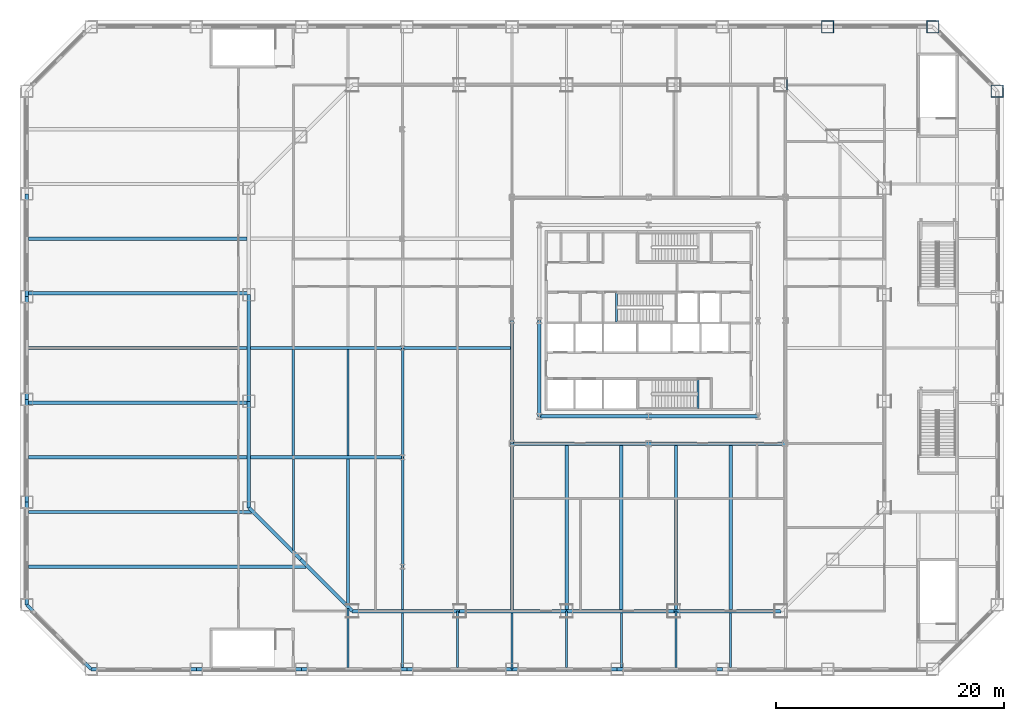
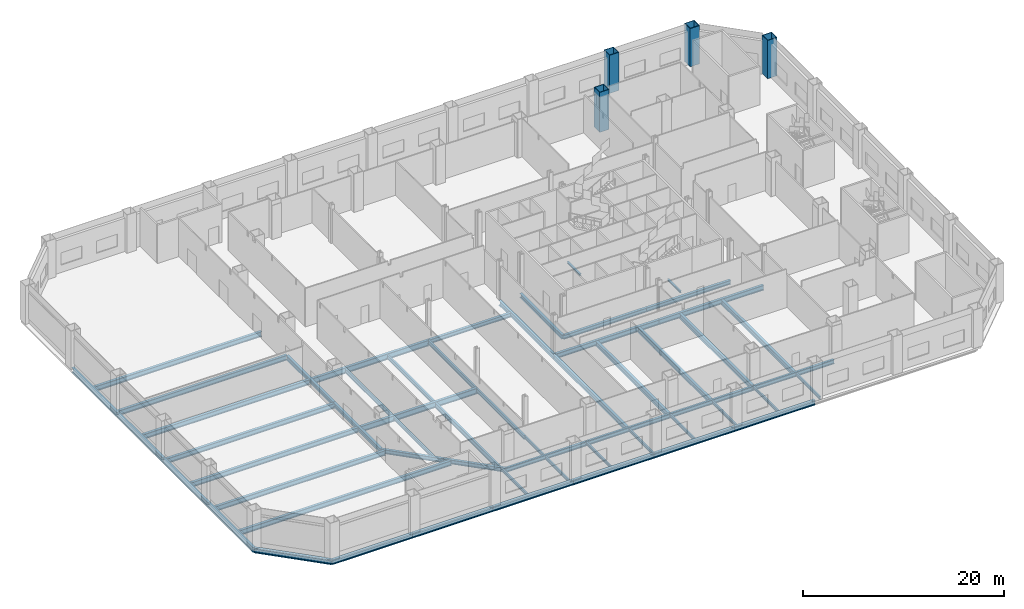
# One storey, part 5 of 22: 57 beams, 4 columns.
"""IFC4 building model written with IfcOpenShell, lengths in metres."""

from ifc_helpers import new_model, si_unit, direction, frame, origin, origin_2d, place, context, subcontext, project, spatial, hollow_rectangle, i_section, extrude, material, material_profile, profile_set, type_object, element, save


model = new_model("IFC4")

# Units and contexts
model_context = context("Model", 3, precision=1e-05, world=origin(), true_north=direction((0.0, 1.0)))
body_context = subcontext(model_context, "Body", "Model", "MODEL_VIEW")
ifc_project = project(units=[si_unit("LENGTHUNIT", "METRE"), si_unit("AREAUNIT", "SQUARE_METRE"), si_unit("VOLUMEUNIT", "CUBIC_METRE"), si_unit("PLANEANGLEUNIT", "RADIAN"), si_unit("MASSUNIT", "GRAM", prefix="KILO")], contexts=[model_context])

# Site, building, storey
site_placement = place(None, origin())
site = spatial("IfcSite", under=ifc_project, at=site_placement, CompositionType="ELEMENT")
building_placement = place(site_placement, origin())
building = spatial("IfcBuilding", under=site, at=building_placement, Name="Cairn Pilgrim Tower", CompositionType="ELEMENT")
storey_placement = place(building_placement, frame((0.0, 0.0, 35.39990234375)))
storey = spatial("IfcBuildingStorey", under=building, at=storey_placement, Name="L06", CompositionType="ELEMENT", Elevation=35.39990234375)

# Columns
ifc_material_1 = material(Name="Structural steel S460M", Category="steel")
ifc_material_profile_1 = material_profile(ifc_material_1, hollow_rectangle(XDim=1.10009765625, YDim=1.10009765625, WallThickness=0.06005859375, at=origin_2d()), Name="BOX 1100x1100x60")
ifc_profile_set_1 = profile_set([ifc_material_profile_1], Name="Structural steel S460M")
column_type_1 = type_object("IfcColumnType", Name="BOX 1100x1100x60", PredefinedType="COLUMN", material=ifc_profile_set_1)
column_placement = place(storey_placement, frame((18.8271484375, 23.10009765625, -0.199951171875), z_axis=(0.0, 0.0, 1.0), x_axis=(1.0, 0.0, 0.0)))
element("IfcColumn", 1, at=column_placement, inside=storey, type_object=column_type_1, Name="PC1-N1", PredefinedType="COLUMN", context=body_context, shape_type="SweptSolid", body=[
    extrude(hollow_rectangle(XDim=1.10009765625, YDim=1.10009765625, WallThickness=0.06005859375, at=origin_2d()), origin(), (0.0, 0.0, 1.0), 4.85009765625),
])
ifc_material_profile_2 = material_profile(ifc_material_1, hollow_rectangle(XDim=1.10009765625, YDim=1.10009765625, WallThickness=0.06005859375, at=origin_2d()), Name="BOX 1100x1100x60")
ifc_profile_set_2 = profile_set([ifc_material_profile_2], Name="Structural steel S460M")
column_type_2 = type_object("IfcColumnType", Name="PILOTIS CFT 1100", PredefinedType="COLUMN", material=ifc_profile_set_2)
for number, where, z_axis, x_axis, name in (
    (2, (37.800048828125, 22.551513671875, 0.0), (0.0, 0.0, 1.0), (1.0, 0.0, 0.0), "PILOTIS PL-NE1"),
    (3, (32.151611328125, 28.199951171875, 0.0), (0.0, 0.0, 1.0), (1.0, 0.0, 0.0), "PILOTIS PL-N1"),
    (4, (22.91357421875, 28.199951171875, 0.0), (0.0, 0.0, 1.0), (1.0, 0.0, 0.0), "PILOTIS PL-N2"),
):
    element("IfcColumn", number, at=place(storey_placement, frame(where, z_axis=z_axis, x_axis=x_axis)), inside=storey, type_object=column_type_2, Name=name, PredefinedType="COLUMN", context=body_context, shape_type="SweptSolid", body=[
        extrude(hollow_rectangle(XDim=1.10009765625, YDim=1.10009765625, WallThickness=0.06005859375, at=origin_2d()), origin(), (0.0, 0.0, 1.0), 4.650146484375),
    ])

# Beams
ifc_material_2 = material(Name="Structural steel S355J2", Category="steel")
ifc_material_profile_3 = material_profile(ifc_material_2, i_section(OverallWidth=0.300048828125, OverallDepth=0.60009765625, WebThickness=0.015380859375, FlangeThickness=0.030029296875, FilletRadius=0.027099609375, at=origin_2d()), Name="HEB 600")
ifc_profile_set_3 = profile_set([ifc_material_profile_3], Name="Structural steel S355J2")
beam_type_1 = type_object("IfcBeamType", Name="PODIUM BEAM HE 600 B", PredefinedType="BEAM", material=ifc_profile_set_3)
for number, where, z_axis, x_axis, name in (
    (5, (-4.800048828125, -22.947998046875, -0.5), (0.0, 1.0, 0.0), (-1.0, 0.0, 0.0), "PODIUM BEAM PB-HE600B"),
    (6, (0.0, -23.10009765625, -0.5), (0.0, 1.0, 0.0), (-1.0, 0.0, 0.0), "PODIUM BEAM PB-HE600B"),
):
    element("IfcBeam", number, at=place(storey_placement, frame(where, z_axis=z_axis, x_axis=x_axis)), inside=storey, type_object=beam_type_1, Name=name, PredefinedType="BEAM", context=body_context, shape_type="SweptSolid", body=[
        extrude(i_section(OverallWidth=0.300048828125, OverallDepth=0.60009765625, WebThickness=0.015380859375, FlangeThickness=0.030029296875, FilletRadius=0.027099609375, at=origin_2d()), origin(), (0.0, 0.0, 1.0), 14.548095703125),
    ])
beam_1_placement = place(storey_placement, frame((4.800048828125, -22.947998046875, -0.5), z_axis=(0.0, 1.0, 0.0), x_axis=(-1.0, 0.0, 0.0)))
element("IfcBeam", 7, at=beam_1_placement, inside=storey, type_object=beam_type_1, Name="PODIUM BEAM PB-HE600B", PredefinedType="BEAM", context=body_context, shape_type="SweptSolid", body=[
    extrude(i_section(OverallWidth=0.300048828125, OverallDepth=0.60009765625, WebThickness=0.015380859375, FlangeThickness=0.030029296875, FilletRadius=0.027099609375, at=origin_2d()), origin(), (0.0, 0.0, 1.0), 14.39599609375),
])
beam_2_placement = place(storey_placement, frame((9.60009765625, -23.10009765625, -0.5), z_axis=(0.0, 1.0, 0.0), x_axis=(-1.0, 0.0, 0.0)))
element("IfcBeam", 8, at=beam_2_placement, inside=storey, type_object=beam_type_1, Name="PODIUM BEAM PB-HE600B", PredefinedType="BEAM", context=body_context, shape_type="SweptSolid", body=[
    extrude(i_section(OverallWidth=0.300048828125, OverallDepth=0.60009765625, WebThickness=0.015380859375, FlangeThickness=0.030029296875, FilletRadius=0.027099609375, at=origin_2d()), origin(), (0.0, 0.0, 1.0), 14.548095703125),
])
beam_3_placement = place(storey_placement, frame((14.39990234375, -22.947998046875, -0.5), z_axis=(0.0, 1.0, 0.0), x_axis=(-1.0, 0.0, 0.0)))
element("IfcBeam", 9, at=beam_3_placement, inside=storey, type_object=beam_type_1, Name="PODIUM BEAM PB-HE600B", PredefinedType="BEAM", context=body_context, shape_type="SweptSolid", body=[
    extrude(i_section(OverallWidth=0.300048828125, OverallDepth=0.60009765625, WebThickness=0.015380859375, FlangeThickness=0.030029296875, FilletRadius=0.027099609375, at=origin_2d()), origin(), (0.0, 0.0, 1.0), 14.39599609375),
])
beam_4_placement = place(storey_placement, frame((-47.248046875, -19.199951171875, -0.5), z_axis=(1.0, 0.0, 0.0), x_axis=(0.0, 1.0, 0.0)))
element("IfcBeam", 10, at=beam_4_placement, inside=storey, type_object=beam_type_1, Name="PODIUM BEAM PB-HE600B", PredefinedType="BEAM", context=body_context, shape_type="SweptSolid", body=[
    extrude(i_section(OverallWidth=0.300048828125, OverallDepth=0.60009765625, WebThickness=0.015380859375, FlangeThickness=0.030029296875, FilletRadius=0.027099609375, at=origin_2d()), origin(), (0.0, 0.0, 1.0), 24.368896484375),
])
beam_5_placement = place(storey_placement, frame((-47.248046875, -14.39990234375, -0.5), z_axis=(1.0, 0.0, 0.0), x_axis=(0.0, 1.0, 0.0)))
element("IfcBeam", 11, at=beam_5_placement, inside=storey, type_object=beam_type_1, Name="PODIUM BEAM PB-HE600B", PredefinedType="BEAM", context=body_context, shape_type="SweptSolid", body=[
    extrude(i_section(OverallWidth=0.300048828125, OverallDepth=0.60009765625, WebThickness=0.015380859375, FlangeThickness=0.030029296875, FilletRadius=0.027099609375, at=origin_2d()), origin(), (0.0, 0.0, 1.0), 19.56884765625),
])
beam_6_placement = place(storey_placement, frame((-47.248046875, -9.60009765625, -0.5), z_axis=(1.0, 0.0, 0.0), x_axis=(0.0, 1.0, 0.0)))
element("IfcBeam", 12, at=beam_6_placement, inside=storey, type_object=beam_type_1, Name="PODIUM BEAM PB-HE600B", PredefinedType="BEAM", context=body_context, shape_type="SweptSolid", body=[
    extrude(i_section(OverallWidth=0.300048828125, OverallDepth=0.60009765625, WebThickness=0.015380859375, FlangeThickness=0.030029296875, FilletRadius=0.027099609375, at=origin_2d()), origin(), (0.0, 0.0, 1.0), 19.196044921875),
])
beam_7_placement = place(storey_placement, frame((-47.39990234375, -4.800048828125, -0.5), z_axis=(1.0, 0.0, 0.0), x_axis=(0.0, 1.0, 0.0)))
element("IfcBeam", 13, at=beam_7_placement, inside=storey, type_object=beam_type_1, Name="PODIUM BEAM PB-HE600B", PredefinedType="BEAM", context=body_context, shape_type="SweptSolid", body=[
    extrude(i_section(OverallWidth=0.300048828125, OverallDepth=0.60009765625, WebThickness=0.015380859375, FlangeThickness=0.030029296875, FilletRadius=0.027099609375, at=origin_2d()), origin(), (0.0, 0.0, 1.0), 19.5),
])
beam_8_placement = place(storey_placement, frame((-47.248046875, 0.0, -0.5), z_axis=(1.0, 0.0, 0.0), x_axis=(0.0, 1.0, 0.0)))
element("IfcBeam", 14, at=beam_8_placement, inside=storey, type_object=beam_type_1, Name="PODIUM BEAM PB-HE600B", PredefinedType="BEAM", context=body_context, shape_type="SweptSolid", body=[
    extrude(i_section(OverallWidth=0.300048828125, OverallDepth=0.60009765625, WebThickness=0.015380859375, FlangeThickness=0.030029296875, FilletRadius=0.027099609375, at=origin_2d()), origin(), (0.0, 0.0, 1.0), 19.196044921875),
])
beam_9_placement = place(storey_placement, frame((-47.39990234375, 4.800048828125, -0.5), z_axis=(1.0, 0.0, 0.0), x_axis=(0.0, 1.0, 0.0)))
element("IfcBeam", 15, at=beam_9_placement, inside=storey, type_object=beam_type_1, Name="PODIUM BEAM PB-HE600B", PredefinedType="BEAM", context=body_context, shape_type="SweptSolid", body=[
    extrude(i_section(OverallWidth=0.300048828125, OverallDepth=0.60009765625, WebThickness=0.015380859375, FlangeThickness=0.030029296875, FilletRadius=0.027099609375, at=origin_2d()), origin(), (0.0, 0.0, 1.0), 19.5),
])
beam_10_placement = place(storey_placement, frame((-47.248046875, 9.60009765625, -0.5), z_axis=(1.0, 0.0, 0.0), x_axis=(0.0, 1.0, 0.0)))
element("IfcBeam", 16, at=beam_10_placement, inside=storey, type_object=beam_type_1, Name="PODIUM BEAM PB-HE600B", PredefinedType="BEAM", context=body_context, shape_type="SweptSolid", body=[
    extrude(i_section(OverallWidth=0.300048828125, OverallDepth=0.60009765625, WebThickness=0.015380859375, FlangeThickness=0.030029296875, FilletRadius=0.027099609375, at=origin_2d()), origin(), (0.0, 0.0, 1.0), 19.196044921875),
])
ifc_material_profile_4 = material_profile(ifc_material_2, i_section(OverallWidth=0.169921875, OverallDepth=0.360107421875, WebThickness=0.008056640625, FlangeThickness=0.0126953125, FilletRadius=0.01806640625, at=origin_2d()), Name="IPE 360")
ifc_profile_set_4 = profile_set([ifc_material_profile_4], Name="Structural steel S355J2")
beam_type_2 = type_object("IfcBeamType", Name="PODIUM BEAM IPE 360", PredefinedType="BEAM", material=ifc_profile_set_4)
beam_11_placement = place(storey_placement, frame((-14.39990234375, -22.947998046875, -0.3798828125), z_axis=(0.0, 1.0, 0.0), x_axis=(-1.0, 0.0, 0.0)))
element("IfcBeam", 17, at=beam_11_placement, inside=storey, type_object=beam_type_2, Name="PODIUM BEAM PB-IPE360", PredefinedType="BEAM", context=body_context, shape_type="SweptSolid", body=[
    extrude(i_section(OverallWidth=0.169921875, OverallDepth=0.360107421875, WebThickness=0.008056640625, FlangeThickness=0.0126953125, FilletRadius=0.01806640625, at=origin_2d()), origin(), (0.0, 0.0, 1.0), 3.748046875),
])
beam_12_placement = place(storey_placement, frame((-19.199951171875, -28.048095703125, -0.3798828125), z_axis=(0.0, 1.0, 0.0), x_axis=(-1.0, 0.0, 0.0)))
element("IfcBeam", 18, at=beam_12_placement, inside=storey, type_object=beam_type_2, Name="PODIUM BEAM PB-IPE360", PredefinedType="BEAM", context=body_context, shape_type="SweptSolid", body=[
    extrude(i_section(OverallWidth=0.169921875, OverallDepth=0.360107421875, WebThickness=0.008056640625, FlangeThickness=0.0126953125, FilletRadius=0.01806640625, at=origin_2d()), origin(), (0.0, 0.0, 1.0), 5.1689453125),
])
beam_13_placement = place(storey_placement, frame((-14.39990234375, -28.048095703125, -0.3798828125), z_axis=(0.0, 1.0, 0.0), x_axis=(-1.0, 0.0, 0.0)))
element("IfcBeam", 19, at=beam_13_placement, inside=storey, type_object=beam_type_2, Name="PODIUM BEAM PB-IPE360", PredefinedType="BEAM", context=body_context, shape_type="SweptSolid", body=[
    extrude(i_section(OverallWidth=0.169921875, OverallDepth=0.360107421875, WebThickness=0.008056640625, FlangeThickness=0.0126953125, FilletRadius=0.01806640625, at=origin_2d()), origin(), (0.0, 0.0, 1.0), 4.796142578125),
])
for number, where, z_axis, x_axis, name in (
    (20, (-9.60009765625, -28.048095703125, -0.3798828125), (0.0, 1.0, 0.0), (-1.0, 0.0, 0.0), "PODIUM BEAM PB-IPE360"),
    (21, (-4.800048828125, -28.199951171875, -0.3798828125), (0.0, 1.0, 0.0), (-1.0, 0.0, 0.0), "PODIUM BEAM PB-IPE360"),
    (22, (0.0, -28.048095703125, -0.3798828125), (0.0, 1.0, 0.0), (-1.0, 0.0, 0.0), "PODIUM BEAM PB-IPE360"),
):
    element("IfcBeam", number, at=place(storey_placement, frame(where, z_axis=z_axis, x_axis=x_axis)), inside=storey, type_object=beam_type_2, Name=name, PredefinedType="BEAM", context=body_context, shape_type="SweptSolid", body=[
        extrude(i_section(OverallWidth=0.169921875, OverallDepth=0.360107421875, WebThickness=0.008056640625, FlangeThickness=0.0126953125, FilletRadius=0.01806640625, at=origin_2d()), origin(), (0.0, 0.0, 1.0), 4.947998046875),
    ])
beam_14_placement = place(storey_placement, frame((4.800048828125, -28.048095703125, -0.3798828125), z_axis=(0.0, 1.0, 0.0), x_axis=(-1.0, 0.0, 0.0)))
element("IfcBeam", 23, at=beam_14_placement, inside=storey, type_object=beam_type_2, Name="PODIUM BEAM PB-IPE360", PredefinedType="BEAM", context=body_context, shape_type="SweptSolid", body=[
    extrude(i_section(OverallWidth=0.169921875, OverallDepth=0.360107421875, WebThickness=0.008056640625, FlangeThickness=0.0126953125, FilletRadius=0.01806640625, at=origin_2d()), origin(), (0.0, 0.0, 1.0), 4.796142578125),
])
beam_15_placement = place(storey_placement, frame((9.60009765625, -28.048095703125, -0.3798828125), z_axis=(0.0, 1.0, 0.0), x_axis=(-1.0, 0.0, 0.0)))
element("IfcBeam", 24, at=beam_15_placement, inside=storey, type_object=beam_type_2, Name="PODIUM BEAM PB-IPE360", PredefinedType="BEAM", context=body_context, shape_type="SweptSolid", body=[
    extrude(i_section(OverallWidth=0.169921875, OverallDepth=0.360107421875, WebThickness=0.008056640625, FlangeThickness=0.0126953125, FilletRadius=0.01806640625, at=origin_2d()), origin(), (0.0, 0.0, 1.0), 4.947998046875),
])
beam_16_placement = place(storey_placement, frame((14.39990234375, -28.048095703125, -0.3798828125), z_axis=(0.0, 1.0, 0.0), x_axis=(-1.0, 0.0, 0.0)))
element("IfcBeam", 25, at=beam_16_placement, inside=storey, type_object=beam_type_2, Name="PODIUM BEAM PB-IPE360", PredefinedType="BEAM", context=body_context, shape_type="SweptSolid", body=[
    extrude(i_section(OverallWidth=0.169921875, OverallDepth=0.360107421875, WebThickness=0.008056640625, FlangeThickness=0.0126953125, FilletRadius=0.01806640625, at=origin_2d()), origin(), (0.0, 0.0, 1.0), 4.796142578125),
])
ifc_material_profile_5 = material_profile(ifc_material_2, i_section(OverallWidth=0.179931640625, OverallDepth=0.39990234375, WebThickness=0.008544921875, FlangeThickness=0.013427734375, FilletRadius=0.02099609375, at=origin_2d()), Name="IPE 400")
ifc_profile_set_5 = profile_set([ifc_material_profile_5], Name="Structural steel S355J2")
beam_type_3 = type_object("IfcBeamType", Name="PODIUM BEAM IPE 400", PredefinedType="BEAM", material=ifc_profile_set_5)
beam_17_placement = place(storey_placement, frame((-24.0, -17.775146484375, -0.39990234375), z_axis=(0.0, 1.0, 0.0), x_axis=(-1.0, 0.0, 0.0)))
element("IfcBeam", 26, at=beam_17_placement, inside=storey, type_object=beam_type_3, Name="PODIUM BEAM PB-IPE400", PredefinedType="BEAM", context=body_context, shape_type="SweptSolid", body=[
    extrude(i_section(OverallWidth=0.179931640625, OverallDepth=0.39990234375, WebThickness=0.008544921875, FlangeThickness=0.013427734375, FilletRadius=0.02099609375, at=origin_2d()), origin(), (0.0, 0.0, 1.0), 8.023193359375),
])
ifc_material_profile_6 = material_profile(ifc_material_2, i_section(OverallWidth=0.199951171875, OverallDepth=0.5, WebThickness=0.01025390625, FlangeThickness=0.01611328125, FilletRadius=0.02099609375, at=origin_2d()), Name="IPE 500")
ifc_profile_set_6 = profile_set([ifc_material_profile_6], Name="Structural steel S355J2")
beam_type_4 = type_object("IfcBeamType", Name="PODIUM BEAM IPE 500", PredefinedType="BEAM", material=ifc_profile_set_6)
for number, where, z_axis, x_axis, name in (
    (27, (-24.0, -9.447998046875, -0.449951171875), (0.0, 1.0, 0.0), (-1.0, 0.0, 0.0), "PODIUM BEAM PB-IPE500"),
    (28, (-19.199951171875, -9.447998046875, -0.449951171875), (0.0, 1.0, 0.0), (-1.0, 0.0, 0.0), "PODIUM BEAM PB-IPE500"),
):
    element("IfcBeam", number, at=place(storey_placement, frame(where, z_axis=z_axis, x_axis=x_axis)), inside=storey, type_object=beam_type_4, Name=name, PredefinedType="BEAM", context=body_context, shape_type="SweptSolid", body=[
        extrude(i_section(OverallWidth=0.199951171875, OverallDepth=0.5, WebThickness=0.01025390625, FlangeThickness=0.01611328125, FilletRadius=0.02099609375, at=origin_2d()), origin(), (0.0, 0.0, 1.0), 9.2958984375),
    ])
beam_18_placement = place(storey_placement, frame((-14.39990234375, -19.199951171875, -0.449951171875), z_axis=(0.0, 1.0, 0.0), x_axis=(-1.0, 0.0, 0.0)))
element("IfcBeam", 29, at=beam_18_placement, inside=storey, type_object=beam_type_4, Name="PODIUM BEAM PB-IPE500", PredefinedType="BEAM", context=body_context, shape_type="SweptSolid", body=[
    extrude(i_section(OverallWidth=0.199951171875, OverallDepth=0.5, WebThickness=0.01025390625, FlangeThickness=0.01611328125, FilletRadius=0.02099609375, at=origin_2d()), origin(), (0.0, 0.0, 1.0), 9.599853515625),
])
beam_19_placement = place(storey_placement, frame((-14.39990234375, -9.60009765625, -0.449951171875), z_axis=(0.0, 1.0, 0.0), x_axis=(-1.0, 0.0, 0.0)))
element("IfcBeam", 30, at=beam_19_placement, inside=storey, type_object=beam_type_4, Name="PODIUM BEAM PB-IPE500", PredefinedType="BEAM", context=body_context, shape_type="SweptSolid", body=[
    extrude(i_section(OverallWidth=0.199951171875, OverallDepth=0.5, WebThickness=0.01025390625, FlangeThickness=0.01611328125, FilletRadius=0.02099609375, at=origin_2d()), origin(), (0.0, 0.0, 1.0), 9.60009765625),
])
ifc_material_profile_7 = material_profile(ifc_material_2, i_section(OverallWidth=0.219970703125, OverallDepth=0.60009765625, WebThickness=0.011962890625, FlangeThickness=0.01904296875, FilletRadius=0.02392578125, at=origin_2d()), Name="IPE 600")
ifc_profile_set_7 = profile_set([ifc_material_profile_7], Name="Structural steel S355J2")
beam_type_5 = type_object("IfcBeamType", Name="PODIUM BEAM IPE 600", PredefinedType="BEAM", material=ifc_profile_set_7)
beam_20_placement = place(storey_placement, frame((-19.199951171875, -22.5751953125, -0.5), z_axis=(0.0, 1.0, 0.0), x_axis=(-1.0, 0.0, 0.0)))
element("IfcBeam", 31, at=beam_20_placement, inside=storey, type_object=beam_type_5, Name="PODIUM BEAM PB-IPE600", PredefinedType="BEAM", context=body_context, shape_type="SweptSolid", body=[
    extrude(i_section(OverallWidth=0.219970703125, OverallDepth=0.60009765625, WebThickness=0.011962890625, FlangeThickness=0.01904296875, FilletRadius=0.02392578125, at=origin_2d()), origin(), (0.0, 0.0, 1.0), 12.8232421875),
])
ifc_material_profile_8 = material_profile(ifc_material_2, i_section(OverallWidth=0.300048828125, OverallDepth=0.60009765625, WebThickness=0.015380859375, FlangeThickness=0.030029296875, FilletRadius=0.027099609375, at=origin_2d()), Name="HEB 600")
ifc_profile_set_8 = profile_set([ifc_material_profile_8], Name="Structural steel S355J2")
beam_type_6 = type_object("IfcBeamType", Name="PODIUM EDGE GIRDER HE 600 B", PredefinedType="BEAM", material=ifc_profile_set_8)
beam_21_placement = place(storey_placement, frame((-41.75146484375, -28.199951171875, -0.5), z_axis=(1.0, 0.0, 0.0), x_axis=(0.0, 1.0, 0.0)))
element("IfcBeam", 32, at=beam_21_placement, inside=storey, type_object=beam_type_6, Name="PODIUM EDGE GIRDER PE-HE600B", PredefinedType="BEAM", context=body_context, shape_type="SweptSolid", body=[
    extrude(i_section(OverallWidth=0.300048828125, OverallDepth=0.60009765625, WebThickness=0.015380859375, FlangeThickness=0.030029296875, FilletRadius=0.027099609375, at=origin_2d()), origin(), (0.0, 0.0, 1.0), 9.23779296875),
])
beam_22_placement = place(storey_placement, frame((-32.513671875, -28.199951171875, -0.5), z_axis=(1.0, 0.0, 0.0), x_axis=(0.0, 1.0, 0.0)))
element("IfcBeam", 33, at=beam_22_placement, inside=storey, type_object=beam_type_6, Name="PODIUM EDGE GIRDER PE-HE600B", PredefinedType="BEAM", context=body_context, shape_type="SweptSolid", body=[
    extrude(i_section(OverallWidth=0.300048828125, OverallDepth=0.60009765625, WebThickness=0.015380859375, FlangeThickness=0.030029296875, FilletRadius=0.027099609375, at=origin_2d()), origin(), (0.0, 0.0, 1.0), 9.238037109375),
])
for number, where, z_axis, x_axis, name in (
    (34, (-23.275634765625, -28.199951171875, -0.5), (1.0, 0.0, 0.0), (0.0, 1.0, 0.0), "PODIUM EDGE GIRDER PE-HE600B"),
    (35, (-14.037841796875, -28.199951171875, -0.5), (1.0, 0.0, 0.0), (0.0, 1.0, 0.0), "PODIUM EDGE GIRDER PE-HE600B"),
):
    element("IfcBeam", number, at=place(storey_placement, frame(where, z_axis=z_axis, x_axis=x_axis)), inside=storey, type_object=beam_type_6, Name=name, PredefinedType="BEAM", context=body_context, shape_type="SweptSolid", body=[
        extrude(i_section(OverallWidth=0.300048828125, OverallDepth=0.60009765625, WebThickness=0.015380859375, FlangeThickness=0.030029296875, FilletRadius=0.027099609375, at=origin_2d()), origin(), (0.0, 0.0, 1.0), 9.23779296875),
    ])
beam_23_placement = place(storey_placement, frame((-4.800048828125, -28.199951171875, -0.5), z_axis=(1.0, 0.0, 0.0), x_axis=(0.0, 1.0, 0.0)))
element("IfcBeam", 36, at=beam_23_placement, inside=storey, type_object=beam_type_6, Name="PODIUM EDGE GIRDER PE-HE600B", PredefinedType="BEAM", context=body_context, shape_type="SweptSolid", body=[
    extrude(i_section(OverallWidth=0.300048828125, OverallDepth=0.60009765625, WebThickness=0.015380859375, FlangeThickness=0.030029296875, FilletRadius=0.027099609375, at=origin_2d()), origin(), (0.0, 0.0, 1.0), 9.238037109375),
])
beam_24_placement = place(storey_placement, frame((4.43798828125, -28.199951171875, -0.5), z_axis=(1.0, 0.0, 0.0), x_axis=(0.0, 1.0, 0.0)))
element("IfcBeam", 37, at=beam_24_placement, inside=storey, type_object=beam_type_6, Name="PODIUM EDGE GIRDER PE-HE600B", PredefinedType="BEAM", context=body_context, shape_type="SweptSolid", body=[
    extrude(i_section(OverallWidth=0.300048828125, OverallDepth=0.60009765625, WebThickness=0.015380859375, FlangeThickness=0.030029296875, FilletRadius=0.027099609375, at=origin_2d()), origin(), (0.0, 0.0, 1.0), 9.23779296875),
])
beam_25_placement = place(storey_placement, frame((-47.39990234375, 13.531005859375, -0.5), z_axis=(0.0, -1.0, 0.0), x_axis=(1.0, 0.0, 0.0)))
element("IfcBeam", 38, at=beam_25_placement, inside=storey, type_object=beam_type_6, Name="PODIUM EDGE GIRDER PE-HE600B", PredefinedType="BEAM", context=body_context, shape_type="SweptSolid", body=[
    extrude(i_section(OverallWidth=0.300048828125, OverallDepth=0.60009765625, WebThickness=0.015380859375, FlangeThickness=0.030029296875, FilletRadius=0.027099609375, at=origin_2d()), origin(), (0.0, 0.0, 1.0), 9.020751953125),
])
beam_26_placement = place(storey_placement, frame((-47.39990234375, 4.51025390625, -0.5), z_axis=(0.0, -1.0, 0.0), x_axis=(1.0, 0.0, 0.0)))
element("IfcBeam", 39, at=beam_26_placement, inside=storey, type_object=beam_type_6, Name="PODIUM EDGE GIRDER PE-HE600B", PredefinedType="BEAM", context=body_context, shape_type="SweptSolid", body=[
    extrude(i_section(OverallWidth=0.300048828125, OverallDepth=0.60009765625, WebThickness=0.015380859375, FlangeThickness=0.030029296875, FilletRadius=0.027099609375, at=origin_2d()), origin(), (0.0, 0.0, 1.0), 9.0205078125),
])
beam_27_placement = place(storey_placement, frame((-47.39990234375, -4.51025390625, -0.5), z_axis=(0.0, -1.0, 0.0), x_axis=(1.0, 0.0, 0.0)))
element("IfcBeam", 40, at=beam_27_placement, inside=storey, type_object=beam_type_6, Name="PODIUM EDGE GIRDER PE-HE600B", PredefinedType="BEAM", context=body_context, shape_type="SweptSolid", body=[
    extrude(i_section(OverallWidth=0.300048828125, OverallDepth=0.60009765625, WebThickness=0.015380859375, FlangeThickness=0.030029296875, FilletRadius=0.027099609375, at=origin_2d()), origin(), (0.0, 0.0, 1.0), 9.020751953125),
])
beam_28_placement = place(storey_placement, frame((-47.39990234375, -13.531005859375, -0.5), z_axis=(0.0, -1.0, 0.0), x_axis=(1.0, 0.0, 0.0)))
element("IfcBeam", 41, at=beam_28_placement, inside=storey, type_object=beam_type_6, Name="PODIUM EDGE GIRDER PE-HE600B", PredefinedType="BEAM", context=body_context, shape_type="SweptSolid", body=[
    extrude(i_section(OverallWidth=0.300048828125, OverallDepth=0.60009765625, WebThickness=0.015380859375, FlangeThickness=0.030029296875, FilletRadius=0.027099609375, at=origin_2d()), origin(), (0.0, 0.0, 1.0), 9.0205078125),
])
beam_29_placement = place(storey_placement, frame((-47.39990234375, -22.551513671875, -0.5), z_axis=(0.707106781187, -0.707106781187, 0.0), x_axis=(0.707106781187, 0.707106781187, 0.0)))
element("IfcBeam", 42, at=beam_29_placement, inside=storey, type_object=beam_type_6, Name="PODIUM EDGE GIRDER PE-HE600B", PredefinedType="BEAM", context=body_context, shape_type="SweptSolid", body=[
    extrude(i_section(OverallWidth=0.300048828125, OverallDepth=0.60009765625, WebThickness=0.015380859375, FlangeThickness=0.030029296875, FilletRadius=0.027099609375, at=origin_2d()), origin(), (0.0, 0.0, 1.0), 7.988037109375),
])
ifc_material_profile_9 = material_profile(ifc_material_2, i_section(OverallWidth=0.300048828125, OverallDepth=0.5, WebThickness=0.014404296875, FlangeThickness=0.028076171875, FilletRadius=0.027099609375, at=origin_2d()), Name="HEB 500")
ifc_profile_set_9 = profile_set([ifc_material_profile_9], Name="Structural steel S355J2")
beam_type_7 = type_object("IfcBeamType", Name="PODIUM GIRDER HE 500 B", PredefinedType="BEAM", material=ifc_profile_set_9)
for number, where, z_axis, x_axis, name in (
    (43, (-18.8271484375, -23.10009765625, -0.449951171875), (1.0, 0.0, 0.0), (0.0, 1.0, 0.0), "PODIUM GIRDER PG-HE500B"),
    (44, (-9.41357421875, -23.10009765625, -0.449951171875), (1.0, 0.0, 0.0), (0.0, 1.0, 0.0), "PODIUM GIRDER PG-HE500B"),
    (45, (0.0, -23.10009765625, -0.449951171875), (1.0, 0.0, 0.0), (0.0, 1.0, 0.0), "PODIUM GIRDER PG-HE500B"),
    (46, (9.41357421875, -23.10009765625, -0.449951171875), (1.0, 0.0, 0.0), (0.0, 1.0, 0.0), "PODIUM GIRDER PG-HE500B"),
):
    element("IfcBeam", number, at=place(storey_placement, frame(where, z_axis=z_axis, x_axis=x_axis)), inside=storey, type_object=beam_type_7, Name=name, PredefinedType="BEAM", context=body_context, shape_type="SweptSolid", body=[
        extrude(i_section(OverallWidth=0.300048828125, OverallDepth=0.5, WebThickness=0.014404296875, FlangeThickness=0.028076171875, FilletRadius=0.027099609375, at=origin_2d()), origin(), (0.0, 0.0, 1.0), 9.41357421875),
    ])
beam_30_placement = place(storey_placement, frame((-27.89990234375, 4.67578125, -0.449951171875), z_axis=(0.0, -1.0, 0.0), x_axis=(1.0, 0.0, 0.0)))
element("IfcBeam", 47, at=beam_30_placement, inside=storey, type_object=beam_type_7, Name="PODIUM GIRDER PG-HE500B", PredefinedType="BEAM", context=body_context, shape_type="SweptSolid", body=[
    extrude(i_section(OverallWidth=0.300048828125, OverallDepth=0.5, WebThickness=0.014404296875, FlangeThickness=0.028076171875, FilletRadius=0.027099609375, at=origin_2d()), origin(), (0.0, 0.0, 1.0), 9.3515625),
])
beam_31_placement = place(storey_placement, frame((-27.89990234375, -4.67578125, -0.449951171875), z_axis=(0.0, -1.0, 0.0), x_axis=(1.0, 0.0, 0.0)))
element("IfcBeam", 48, at=beam_31_placement, inside=storey, type_object=beam_type_7, Name="PODIUM GIRDER PG-HE500B", PredefinedType="BEAM", context=body_context, shape_type="SweptSolid", body=[
    extrude(i_section(OverallWidth=0.300048828125, OverallDepth=0.5, WebThickness=0.014404296875, FlangeThickness=0.028076171875, FilletRadius=0.027099609375, at=origin_2d()), origin(), (0.0, 0.0, 1.0), 9.351318359375),
])
for number, where, z_axis, x_axis, name in (
    (49, (-27.89990234375, -14.027099609375, -0.449951171875), (0.707087753759, -0.707125808102, 0.0), (0.707125808102, 0.707087753759, 0.0), "PODIUM GIRDER PG-HE500B"),
    (50, (-23.363525390625, -18.563720703125, -0.449951171875), (0.707106781187, -0.707106781187, 0.0), (0.707106781187, 0.707106781187, 0.0), "PODIUM GIRDER PG-HE500B"),
):
    element("IfcBeam", number, at=place(storey_placement, frame(where, z_axis=z_axis, x_axis=x_axis)), inside=storey, type_object=beam_type_7, Name=name, PredefinedType="BEAM", context=body_context, shape_type="SweptSolid", body=[
        extrude(i_section(OverallWidth=0.300048828125, OverallDepth=0.5, WebThickness=0.014404296875, FlangeThickness=0.028076171875, FilletRadius=0.027099609375, at=origin_2d()), origin(), (0.0, 0.0, 1.0), 6.41552734375),
    ])
beam_32_placement = place(storey_placement, frame((-2.39990234375, 2.39990234375, -0.449951171875), z_axis=(0.0, -1.0, 0.0), x_axis=(1.0, 0.0, 0.0)))
element("IfcBeam", 51, at=beam_32_placement, inside=storey, type_object=beam_type_7, Name="PODIUM GIRDER PG-HE500B", PredefinedType="BEAM", context=body_context, shape_type="SweptSolid", body=[
    extrude(i_section(OverallWidth=0.300048828125, OverallDepth=0.5, WebThickness=0.014404296875, FlangeThickness=0.028076171875, FilletRadius=0.027099609375, at=origin_2d()), origin(), (0.0, 0.0, 1.0), 8.39990234375),
])
beam_33_placement = place(storey_placement, frame((-2.39990234375, -6.0, -0.449951171875), z_axis=(1.0, 0.0, 0.0), x_axis=(0.0, 1.0, 0.0)))
element("IfcBeam", 52, at=beam_33_placement, inside=storey, type_object=beam_type_7, Name="PODIUM GIRDER PG-HE500B", PredefinedType="BEAM", context=body_context, shape_type="SweptSolid", body=[
    extrude(i_section(OverallWidth=0.300048828125, OverallDepth=0.5, WebThickness=0.014404296875, FlangeThickness=0.028076171875, FilletRadius=0.027099609375, at=origin_2d()), origin(), (0.0, 0.0, 1.0), 9.599853515625),
])
beam_34_placement = place(storey_placement, frame((7.199951171875, -6.0, -0.449951171875), z_axis=(1.0, 0.0, 0.0), x_axis=(0.0, 1.0, 0.0)))
element("IfcBeam", 53, at=beam_34_placement, inside=storey, type_object=beam_type_7, Name="PODIUM GIRDER PG-HE500B", PredefinedType="BEAM", context=body_context, shape_type="SweptSolid", body=[
    extrude(i_section(OverallWidth=0.300048828125, OverallDepth=0.5, WebThickness=0.014404296875, FlangeThickness=0.028076171875, FilletRadius=0.027099609375, at=origin_2d()), origin(), (0.0, 0.0, 1.0), 9.60009765625),
])
beam_35_placement = place(storey_placement, frame((-14.39990234375, 0.0, -0.449951171875), z_axis=(1.0, 0.0, 0.0), x_axis=(0.0, 1.0, 0.0)))
element("IfcBeam", 54, at=beam_35_placement, inside=storey, type_object=beam_type_7, Name="PODIUM GIRDER PG-HE500B", PredefinedType="BEAM", context=body_context, shape_type="SweptSolid", body=[
    extrude(i_section(OverallWidth=0.300048828125, OverallDepth=0.5, WebThickness=0.014404296875, FlangeThickness=0.028076171875, FilletRadius=0.027099609375, at=origin_2d()), origin(), (0.0, 0.0, 1.0), 9.447998046875),
])
ifc_material_profile_10 = material_profile(ifc_material_2, i_section(OverallWidth=0.300048828125, OverallDepth=0.60009765625, WebThickness=0.015380859375, FlangeThickness=0.030029296875, FilletRadius=0.027099609375, at=origin_2d()), Name="HEB 600")
ifc_profile_set_10 = profile_set([ifc_material_profile_10], Name="Structural steel S355J2")
beam_type_8 = type_object("IfcBeamType", Name="PODIUM GIRDER HE 600 B", PredefinedType="BEAM", material=ifc_profile_set_10)
beam_36_placement = place(storey_placement, frame((-4.800048828125, 2.39990234375, -0.5), z_axis=(0.0, -1.0, 0.0), x_axis=(1.0, 0.0, 0.0)))
element("IfcBeam", 55, at=beam_36_placement, inside=storey, type_object=beam_type_8, Name="PODIUM GIRDER PG-HE600B", PredefinedType="BEAM", context=body_context, shape_type="SweptSolid", body=[
    extrude(i_section(OverallWidth=0.300048828125, OverallDepth=0.60009765625, WebThickness=0.015380859375, FlangeThickness=0.030029296875, FilletRadius=0.027099609375, at=origin_2d()), origin(), (0.0, 0.0, 1.0), 10.7998046875),
])
for number, where, z_axis, x_axis, name in (
    (56, (-4.800048828125, -8.39990234375, -0.5), (1.0, 0.0, 0.0), (0.0, 1.0, 0.0), "PODIUM GIRDER PG-HE600B"),
    (57, (7.199951171875, -8.39990234375, -0.5), (1.0, 0.0, 0.0), (0.0, 1.0, 0.0), "PODIUM GIRDER PG-HE600B"),
):
    element("IfcBeam", number, at=place(storey_placement, frame(where, z_axis=z_axis, x_axis=x_axis)), inside=storey, type_object=beam_type_8, Name=name, PredefinedType="BEAM", context=body_context, shape_type="SweptSolid", body=[
        extrude(i_section(OverallWidth=0.300048828125, OverallDepth=0.60009765625, WebThickness=0.015380859375, FlangeThickness=0.030029296875, FilletRadius=0.027099609375, at=origin_2d()), origin(), (0.0, 0.0, 1.0), 12.0),
    ])
ifc_material_profile_11 = material_profile(ifc_material_2, i_section(OverallWidth=0.300048828125, OverallDepth=0.699951171875, WebThickness=0.01708984375, FlangeThickness=0.031982421875, FilletRadius=0.027099609375, at=origin_2d()), Name="HEB 700")
ifc_profile_set_11 = profile_set([ifc_material_profile_11], Name="Structural steel S355J2")
beam_type_9 = type_object("IfcBeamType", Name="PODIUM GIRDER HE 700 B", PredefinedType="BEAM", material=ifc_profile_set_11)
for number, where, z_axis, x_axis, name in (
    (58, (-27.748046875, -9.60009765625, -0.5498046875), (1.0, 0.0, 0.0), (0.0, 1.0, 0.0), "PODIUM GIRDER PG-HE700B"),
    (59, (-27.748046875, 0.0, -0.5498046875), (1.0, 0.0, 0.0), (0.0, 1.0, 0.0), "PODIUM GIRDER PG-HE700B"),
):
    element("IfcBeam", number, at=place(storey_placement, frame(where, z_axis=z_axis, x_axis=x_axis)), inside=storey, type_object=beam_type_9, Name=name, PredefinedType="BEAM", context=body_context, shape_type="SweptSolid", body=[
        extrude(i_section(OverallWidth=0.300048828125, OverallDepth=0.699951171875, WebThickness=0.01708984375, FlangeThickness=0.031982421875, FilletRadius=0.027099609375, at=origin_2d()), origin(), (0.0, 0.0, 1.0), 13.34814453125),
    ])
ifc_material_profile_12 = material_profile(ifc_material_2, i_section(OverallWidth=0.199951171875, OverallDepth=0.199951171875, WebThickness=0.009033203125, FlangeThickness=0.014892578125, FilletRadius=0.01806640625, at=origin_2d()), Name="HE 200 B")
ifc_profile_set_12 = profile_set([ifc_material_profile_12], Name="Structural steel S355J2")
beam_type_10 = type_object("IfcBeamType", Name="STAIR LANDING BEAM HE 200 B", PredefinedType="BEAM", material=ifc_profile_set_12)
beam_37_placement = place(storey_placement, frame((11.5244140625, -2.77490234375, -0.2998046875), z_axis=(0.0, -1.0, 0.0), x_axis=(1.0, 0.0, 0.0)))
element("IfcBeam", 60, at=beam_37_placement, inside=storey, type_object=beam_type_10, Name="STAIR LANDING BEAM LD-HE200B", PredefinedType="BEAM", context=body_context, shape_type="SweptSolid", body=[
    extrude(i_section(OverallWidth=0.199951171875, OverallDepth=0.199951171875, WebThickness=0.009033203125, FlangeThickness=0.014892578125, FilletRadius=0.01806640625, at=origin_2d()), origin(), (0.0, 0.0, 1.0), 2.525146484375),
])
beam_38_placement = place(storey_placement, frame((4.37548828125, 2.27490234375, -0.2998046875), z_axis=(0.0, 1.0, 0.0), x_axis=(-1.0, 0.0, 0.0)))
element("IfcBeam", 61, at=beam_38_placement, inside=storey, type_object=beam_type_10, Name="STAIR LANDING BEAM LD-HE200B", PredefinedType="BEAM", context=body_context, shape_type="SweptSolid", body=[
    extrude(i_section(OverallWidth=0.199951171875, OverallDepth=0.199951171875, WebThickness=0.009033203125, FlangeThickness=0.014892578125, FilletRadius=0.01806640625, at=origin_2d()), origin(), (0.0, 0.0, 1.0), 2.550048828125),
])

save(model, "model.ifc")
